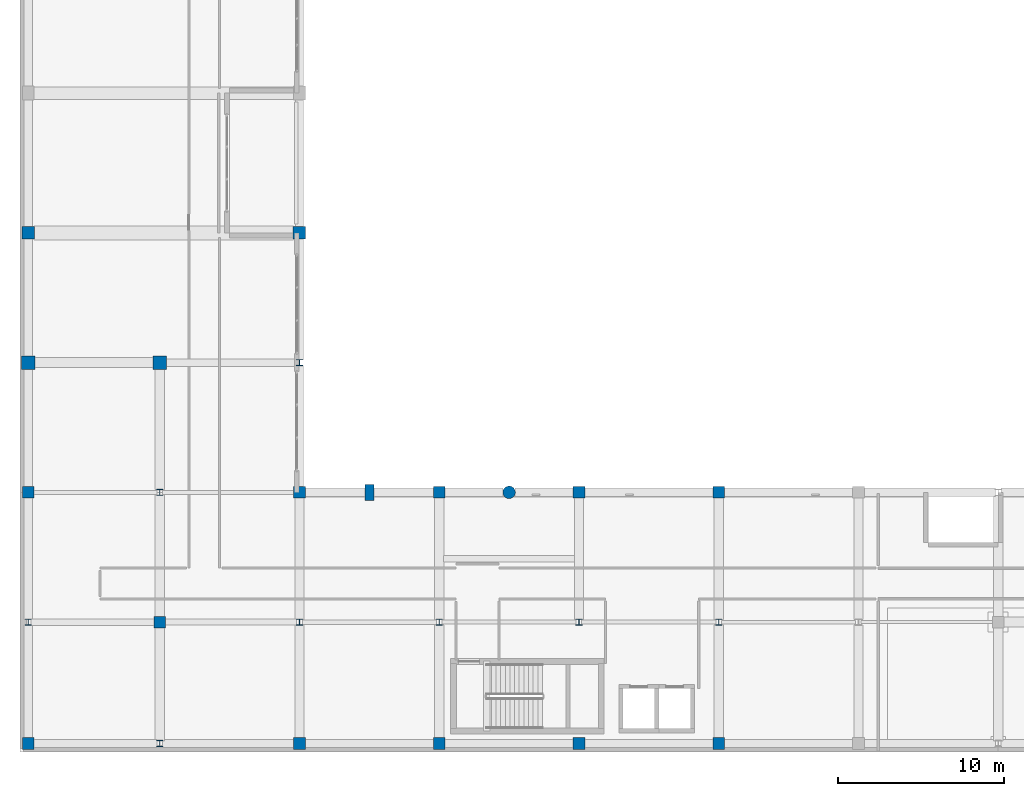
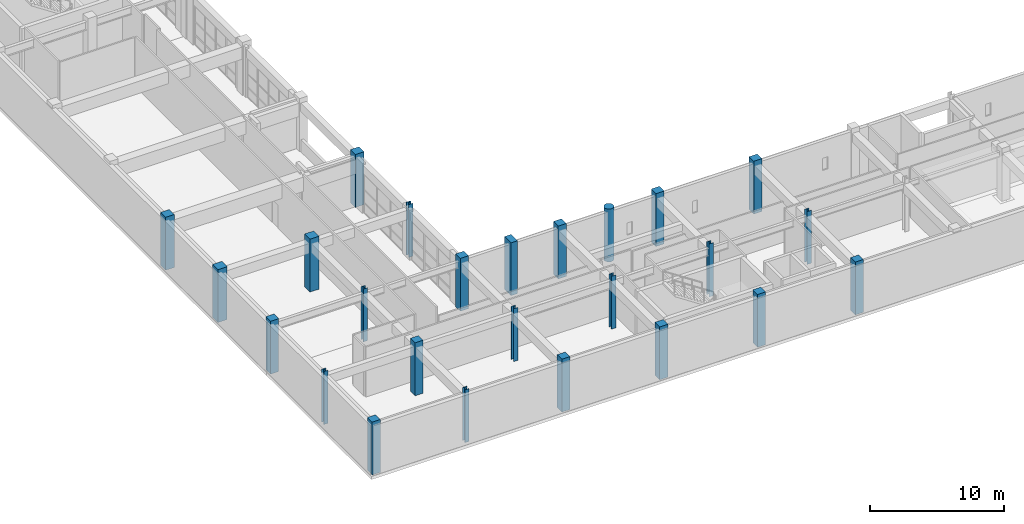
# One storey, part 1 of 123: 25 columns.
"""IFC4 building model written with IfcOpenShell, lengths in metres."""

import ifcopenshell
import ifcopenshell.guid

model = None  # the IFC model being written
_history = None  # IfcOwnerHistory: only IFC2X3 demands one
_inside = {}  # id of a spatial element -> (the spatial element, [elements in it])
_under = {}  # id of a project, library or spatial element -> (it, [spatial elements below it])
_declared = {}  # id of a project -> (the project, [libraries it declares])
_typed = {}  # id of a type object -> (the type object, [elements of that type])
_made_of = {}  # id of a material, layer set ... -> (it, [elements and type objects made of it])


def new_model(schema):
    """Start an empty IFC model of exactly this schema.

    Asked for "IFC4X3", IfcOpenShell would pick the latest addendum, in which some entities
    have other attributes; the version numbers below select the first issue.
    IFC2X3 requires an IfcOwnerHistory on every rooted entity: one is made here for all.
    """
    global model, _history
    if schema == "IFC4X3":
        model = ifcopenshell.file(schema_version=(4, 3, 0, 0))
    else:
        model = ifcopenshell.file(schema=schema)
    _inside.clear()
    _under.clear()
    _declared.clear()
    _typed.clear()
    _made_of.clear()
    _history = None
    if model.schema == "IFC2X3":
        org = make("IfcOrganization", Name="unknown")
        user = make(
            "IfcPersonAndOrganization",
            ThePerson=make("IfcPerson", FamilyName="unknown"),
            TheOrganization=org,
        )
        app = make(
            "IfcApplication",
            ApplicationDeveloper=org,
            Version="unknown",
            ApplicationFullName="unknown",
            ApplicationIdentifier="unknown",
        )
        _history = make(
            "IfcOwnerHistory",
            OwningUser=user,
            OwningApplication=app,
            ChangeAction="ADDED",
            CreationDate=0,
        )
    return model


def make(cls, **values):
    """One entity of the class cls with the attributes given. An attribute that is None is left unset."""
    return model.create_entity(
        cls, **{name: value for name, value in values.items() if value is not None}
    )


def rooted(cls, **values):
    """An entity with a GlobalId (a new one), such as an element, a storey or a relation."""
    return make(cls, GlobalId=ifcopenshell.guid.new(), OwnerHistory=_history, **values)


def si_unit(unit_type, name, prefix=None):
    """IfcSIUnit, for example si_unit("LENGTHUNIT", "METRE", prefix="MILLI")."""
    return make("IfcSIUnit", UnitType=unit_type, Prefix=prefix, Name=name)


def assignment(units):
    """IfcUnitAssignment: the units of a project."""
    return None if units is None else make("IfcUnitAssignment", Units=units)


def point(xyz):
    """IfcCartesianPoint."""
    return None if xyz is None else make("IfcCartesianPoint", Coordinates=xyz)


def direction(xyz):
    """IfcDirection."""
    return None if xyz is None else make("IfcDirection", DirectionRatios=xyz)


def frame(location, z_axis=None, x_axis=None):
    """IfcAxis2Placement3D, a coordinate frame: its origin and axes. An axis left out is left unset."""
    return make(
        "IfcAxis2Placement3D",
        Location=point(location),
        Axis=direction(z_axis),
        RefDirection=direction(x_axis),
    )


def frame_2d(location, x_axis=None):
    """IfcAxis2Placement2D, a coordinate frame in the plane: its origin and x axis."""
    return make(
        "IfcAxis2Placement2D", Location=point(location), RefDirection=direction(x_axis)
    )


def origin():
    """The frame at (0, 0, 0) with its axes left unset."""
    return frame((0.0, 0.0, 0.0))


def origin_2d():
    """The frame at (0, 0) in the plane with its x axis left unset."""
    return frame_2d((0.0, 0.0))


def place(relative_to, where):
    """IfcLocalPlacement: puts the frame where relative to a parent placement (None: the world)."""
    return make(
        "IfcLocalPlacement", PlacementRelTo=relative_to, RelativePlacement=where
    )


def context(
    kind, dimensions, precision=None, world=None, true_north=None, identifier=None
):
    """IfcGeometricRepresentationContext, for example the 3D "Model" context."""
    return make(
        "IfcGeometricRepresentationContext",
        ContextIdentifier=identifier,
        ContextType=kind,
        CoordinateSpaceDimension=dimensions,
        Precision=precision,
        WorldCoordinateSystem=world,
        TrueNorth=true_north,
    )


def subcontext(parent, identifier, kind, view, scale=None):
    """IfcGeometricRepresentationSubContext, for example "Body" below "Model"."""
    return make(
        "IfcGeometricRepresentationSubContext",
        ContextIdentifier=identifier,
        ContextType=kind,
        ParentContext=parent,
        TargetScale=scale,
        TargetView=view,
    )


def project(units=None, contexts=None):
    """IfcProject with its units and contexts."""
    return rooted(
        "IfcProject",
        Name="project",
        RepresentationContexts=contexts,
        UnitsInContext=assignment(units),
    )


def spatial(cls, under=None, at=None, **own):
    """A site, building, storey or space (cls), placed at a placement, below another one or the project."""
    s = rooted(cls, ObjectPlacement=at, **own)
    if under is not None:
        _under.setdefault(under.id(), (under, []))[1].append(s)
    return s


def profile(cls, at=None, kind="AREA", **sizes):
    """A parametric profile (cls). Its sizes go by their IFC names, for example OverallWidth=200.0."""
    return make(cls, ProfileType=kind, Position=at, **sizes)


def rectangle(**sizes):
    """IfcRectangleProfileDef."""
    return profile("IfcRectangleProfileDef", **sizes)


def circle(**sizes):
    """IfcCircleProfileDef."""
    return profile("IfcCircleProfileDef", **sizes)


def i_section(**sizes):
    """IfcIShapeProfileDef."""
    return profile("IfcIShapeProfileDef", **sizes)


def extrude(swept, where, along, depth):
    """IfcExtrudedAreaSolid: the profile swept, set in the frame where, extruded along a direction by depth."""
    return make(
        "IfcExtrudedAreaSolid",
        SweptArea=swept,
        Position=where,
        ExtrudedDirection=direction(along),
        Depth=depth,
    )


def shape(context_of_items, identifier, shape_type, items):
    """IfcShapeRepresentation: the items that make up one representation, for example the "Body"."""
    return make(
        "IfcShapeRepresentation",
        ContextOfItems=context_of_items,
        RepresentationIdentifier=identifier,
        RepresentationType=shape_type,
        Items=items,
    )


def material(Name=None, Category=None):
    """IfcMaterial."""
    return make("IfcMaterial", Name=Name, Category=Category)


def material_profile(
    of_material, cross_section, Name=None, Category=None, Priority=None
):
    """IfcMaterialProfile: a cross section and its material."""
    return make(
        "IfcMaterialProfile",
        Name=Name,
        Material=of_material,
        Profile=cross_section,
        Priority=Priority,
        Category=Category,
    )


def profile_set(profiles, Name=None, composite=None):
    """IfcMaterialProfileSet."""
    return make(
        "IfcMaterialProfileSet",
        Name=Name,
        MaterialProfiles=profiles,
        CompositeProfile=composite,
    )


def made_of(thing, what):
    """Note that an element or type object is made of a material, layer set ...; save() writes the relation."""
    if what is not None:
        _made_of.setdefault(what.id(), (what, []))[1].append(thing)
    return thing


def type_object(cls, material=None, **own):
    """A type object (cls), such as IfcWallType, which elements share."""
    return made_of(rooted(cls, **own), material)


def element(
    cls,
    number,
    at=None,
    inside=None,
    cuts=None,
    type_object=None,
    material=None,
    context=None,
    identifier="Body",
    shape_type=None,
    held_by="IfcProductDefinitionShape",
    body=None,
    shapes=None,
    **own,
):
    """One element of the class cls, such as IfcWall. Its Tag is "e" and its number.

    at: its placement. inside: the storey or other place that contains it. cuts: it is an
    opening in that element (IfcRelVoidsElement). A single representation is given by context,
    identifier, shape_type and body (its items); several are given by shapes. held_by: the class
    of the entity that holds the representations. save() writes the other relations.
    """
    e = rooted(cls, Tag="e%d" % number, ObjectPlacement=at, **own)
    if body is not None:
        shapes = [shape(context, identifier, shape_type, body)]
    if shapes is not None:
        e.Representation = make(held_by, Representations=shapes)
    if inside is not None:
        _inside.setdefault(inside.id(), (inside, []))[1].append(e)
    if cuts is not None:
        rooted(
            "IfcRelVoidsElement", RelatingBuildingElement=cuts, RelatedOpeningElement=e
        )
    if type_object is not None:
        _typed.setdefault(type_object.id(), (type_object, []))[1].append(e)
    return made_of(e, material)


def aggregate(whole, parts):
    """IfcRelAggregates: a whole, such as a stair, and the parts it consists of."""
    return rooted("IfcRelAggregates", RelatingObject=whole, RelatedObjects=parts)


def save(model, path):
    """Write the relations noted so far, then the file.

    IfcRelAggregates (storeys below a building ...), IfcRelContainedInSpatialStructure (elements
    in a storey), IfcRelDefinesByType, IfcRelAssociatesMaterial and IfcRelDeclares: one each for
    every whole, place, type object, material and project.
    """
    for whole, parts in _under.values():
        aggregate(whole, parts)
    for where, things in _inside.values():
        rooted(
            "IfcRelContainedInSpatialStructure",
            RelatedElements=things,
            RelatingStructure=where,
        )
    for kind, things in _typed.values():
        rooted("IfcRelDefinesByType", RelatedObjects=things, RelatingType=kind)
    for what, things in _made_of.values():
        rooted("IfcRelAssociatesMaterial", RelatedObjects=things, RelatingMaterial=what)
    for by, libraries in _declared.values():
        rooted("IfcRelDeclares", RelatingContext=by, RelatedDefinitions=libraries)
    model.write(path)


model = new_model("IFC4")

# Units and contexts
model_context = context("Model", 3, precision=1e-05, world=origin(), true_north=direction((0.0, 1.0)))
body_context = subcontext(model_context, "Body", "Model", "MODEL_VIEW")
ifc_project = project(units=[si_unit("LENGTHUNIT", "METRE"), si_unit("AREAUNIT", "SQUARE_METRE"), si_unit("VOLUMEUNIT", "CUBIC_METRE"), si_unit("PLANEANGLEUNIT", "RADIAN"), si_unit("MASSUNIT", "GRAM", prefix="KILO")], contexts=[model_context])

# Site, building, storey
site_placement = place(None, origin())
site = spatial("IfcSite", under=ifc_project, at=site_placement, CompositionType="ELEMENT")
building_placement = place(site_placement, origin())
building = spatial("IfcBuilding", under=site, at=building_placement, Name="Quendrovan Civic Courthouse", CompositionType="ELEMENT")
storey_placement = place(building_placement, frame((0.0, 0.0, 5.39990234375)))
storey = spatial("IfcBuildingStorey", under=building, at=storey_placement, Name="L02", CompositionType="ELEMENT", Elevation=5.39990234375)

# Columns
ifc_material_1 = material(Name="Precast concrete C45/55", Category="concrete")
ifc_material_profile_1 = material_profile(ifc_material_1, circle(Radius=0.375, at=origin_2d()), Name="RC-ARCADE-D750")
ifc_profile_set_1 = profile_set([ifc_material_profile_1], Name="Precast concrete C45/55")
column_type_1 = type_object("IfcColumnType", Name="COL-ARC750", PredefinedType="PILASTER", material=ifc_profile_set_1)
column_1_placement = place(storey_placement, frame((29.39990234375, 15.60009765625, 0.0), z_axis=(0.0, 0.0, 1.0), x_axis=(1.0, 0.0, 0.0)))
element("IfcColumn", 1, at=column_1_placement, inside=storey, type_object=column_type_1, Name="L02 Column PIL-C6", PredefinedType="PILASTER", context=body_context, shape_type="SweptSolid", body=[
    extrude(circle(Radius=0.375, at=origin_2d()), origin(), (0.0, 0.0, 1.0), 4.800048828125),
])
ifc_material_2 = material(Name="Concrete C45/55", Category="concrete")
ifc_material_profile_2 = material_profile(ifc_material_2, rectangle(XDim=0.550048828125, YDim=0.949951171875, at=origin_2d()), Name="RC-PIER-550x950")
ifc_profile_set_2 = profile_set([ifc_material_profile_2], Name="Concrete C45/55")
column_type_2 = type_object("IfcColumnType", Name="COL-PIER950", PredefinedType="PILASTER", material=ifc_profile_set_2)
column_2_placement = place(storey_placement, frame((21.0, 15.60009765625, 0.0), z_axis=(0.0, 0.0, 1.0), x_axis=(1.0, 0.0, 0.0)))
element("IfcColumn", 2, at=column_2_placement, inside=storey, type_object=column_type_2, Name="L02 Column PIL-C5", PredefinedType="PILASTER", context=body_context, shape_type="SweptSolid", body=[
    extrude(rectangle(XDim=0.550048828125, YDim=0.949951171875, at=origin_2d()), origin(), (0.0, 0.0, 1.0), 4.800048828125),
])
ifc_material_profile_3 = material_profile(ifc_material_2, rectangle(XDim=0.699951171875, YDim=0.699951171875, at=origin_2d()), Name="RC-COL-700x700")
ifc_profile_set_3 = profile_set([ifc_material_profile_3], Name="Concrete C45/55")
column_type_3 = type_object("IfcColumnType", Name="COL-RC700", PredefinedType="COLUMN", material=ifc_profile_set_3)
for number, where, z_axis, x_axis, name in (
    (3, (0.5, 0.5, 0.0), (0.0, 0.0, 1.0), (1.0, 0.0, 0.0), "L02 Column 1-A"),
    (4, (0.5, 15.60009765625, 0.0), (0.0, 0.0, 1.0), (1.0, 0.0, 0.0), "L02 Column 1-C"),
    (5, (8.39990234375, 7.800048828125, 0.0), (0.0, 0.0, 1.0), (1.0, 0.0, 0.0), "L02 Column 2-B"),
    (6, (16.800048828125, 0.5, 0.0), (0.0, 0.0, 1.0), (1.0, 0.0, 0.0), "L02 Column 3-A"),
    (7, (16.800048828125, 15.60009765625, 0.0), (0.0, 0.0, 1.0), (1.0, 0.0, 0.0), "L02 Column 3-C"),
    (8, (25.199951171875, 0.5, 0.0), (0.0, 0.0, 1.0), (1.0, 0.0, 0.0), "L02 Column 4-A"),
    (9, (25.199951171875, 15.60009765625, 0.0), (0.0, 0.0, 1.0), (1.0, 0.0, 0.0), "L02 Column 4-C"),
    (10, (33.60009765625, 0.5, 0.0), (0.0, 0.0, 1.0), (1.0, 0.0, 0.0), "L02 Column 5-A"),
    (11, (33.60009765625, 15.60009765625, 0.0), (0.0, 0.0, 1.0), (1.0, 0.0, 0.0), "L02 Column 5-C"),
    (12, (42.0, 0.5, 0.0), (0.0, 0.0, 1.0), (1.0, 0.0, 0.0), "L02 Column 6-A"),
    (13, (42.0, 15.60009765625, 0.0), (0.0, 0.0, 1.0), (1.0, 0.0, 0.0), "L02 Column 6-C"),
):
    element("IfcColumn", number, at=place(storey_placement, frame(where, z_axis=z_axis, x_axis=x_axis)), inside=storey, type_object=column_type_3, Name=name, PredefinedType="COLUMN", context=body_context, shape_type="SweptSolid", body=[
        extrude(rectangle(XDim=0.699951171875, YDim=0.699951171875, at=origin_2d()), origin(), (0.0, 0.0, 1.0), 4.800048828125),
    ])
ifc_material_profile_4 = material_profile(ifc_material_2, rectangle(XDim=0.75, YDim=0.75, at=origin_2d()), Name="RC-COL-750x750")
ifc_profile_set_4 = profile_set([ifc_material_profile_4], Name="Concrete C45/55")
column_type_4 = type_object("IfcColumnType", Name="COL-RC750", PredefinedType="COLUMN", material=ifc_profile_set_4)
for number, where, z_axis, x_axis, name in (
    (14, (0.5, 31.199951171875, 0.0), (0.0, 0.0, 1.0), (1.0, 0.0, 0.0), "L02 Column 1-E"),
    (15, (16.800048828125, 31.199951171875, 0.0), (0.0, 0.0, 1.0), (1.0, 0.0, 0.0), "L02 Column 3-E"),
):
    element("IfcColumn", number, at=place(storey_placement, frame(where, z_axis=z_axis, x_axis=x_axis)), inside=storey, type_object=column_type_4, Name=name, PredefinedType="COLUMN", context=body_context, shape_type="SweptSolid", body=[
        extrude(rectangle(XDim=0.75, YDim=0.75, at=origin_2d()), origin(), (0.0, 0.0, 1.0), 4.800048828125),
    ])
ifc_material_profile_5 = material_profile(ifc_material_2, rectangle(XDim=0.800048828125, YDim=0.800048828125, at=origin_2d()), Name="RC-COL-800x800")
ifc_profile_set_5 = profile_set([ifc_material_profile_5], Name="Concrete C45/55")
column_type_5 = type_object("IfcColumnType", Name="COL-RC800", PredefinedType="COLUMN", material=ifc_profile_set_5)
for number, where, z_axis, x_axis, name in (
    (16, (0.5, 23.39990234375, 0.0), (0.0, 0.0, 1.0), (1.0, 0.0, 0.0), "L02 Column 1-D"),
    (17, (8.39990234375, 23.39990234375, 0.0), (0.0, 0.0, 1.0), (1.0, 0.0, 0.0), "L02 Column 2-D"),
):
    element("IfcColumn", number, at=place(storey_placement, frame(where, z_axis=z_axis, x_axis=x_axis)), inside=storey, type_object=column_type_5, Name=name, PredefinedType="COLUMN", context=body_context, shape_type="SweptSolid", body=[
        extrude(rectangle(XDim=0.800048828125, YDim=0.800048828125, at=origin_2d()), origin(), (0.0, 0.0, 1.0), 4.800048828125),
    ])
ifc_material_3 = material(Name="Steel ASTM A992 Grade 50", Category="steel")
ifc_material_profile_6 = material_profile(ifc_material_3, i_section(OverallWidth=0.3740234375, OverallDepth=0.3720703125, WebThickness=0.016357421875, FlangeThickness=0.026123046875, at=origin_2d()), Name="W14X132")
ifc_profile_set_6 = profile_set([ifc_material_profile_6], Name="Steel ASTM A992 Grade 50")
column_type_6 = type_object("IfcColumnType", Name="COL-STL-W14X132", PredefinedType="COLUMN", material=ifc_profile_set_6)
for number, where, z_axis, x_axis, name in (
    (18, (0.5, 7.800048828125, 0.0), (0.0, 0.0, 1.0), (1.0, 0.0, 0.0), "L02 Column 1-B"),
    (19, (8.39990234375, 0.5, 0.0), (0.0, 0.0, 1.0), (1.0, 0.0, 0.0), "L02 Column 2-A"),
    (20, (8.39990234375, 15.60009765625, 0.0), (0.0, 0.0, 1.0), (1.0, 0.0, 0.0), "L02 Column 2-C"),
    (21, (16.800048828125, 7.800048828125, 0.0), (0.0, 0.0, 1.0), (1.0, 0.0, 0.0), "L02 Column 3-B"),
    (22, (16.800048828125, 23.39990234375, 0.0), (0.0, 0.0, 1.0), (1.0, 0.0, 0.0), "L02 Column 3-D"),
    (23, (25.199951171875, 7.800048828125, 0.0), (0.0, 0.0, 1.0), (1.0, 0.0, 0.0), "L02 Column 4-B"),
    (24, (33.60009765625, 7.800048828125, 0.0), (0.0, 0.0, 1.0), (1.0, 0.0, 0.0), "L02 Column 5-B"),
    (25, (42.0, 7.800048828125, 0.0), (0.0, 0.0, 1.0), (1.0, 0.0, 0.0), "L02 Column 6-B"),
):
    element("IfcColumn", number, at=place(storey_placement, frame(where, z_axis=z_axis, x_axis=x_axis)), inside=storey, type_object=column_type_6, Name=name, PredefinedType="COLUMN", context=body_context, shape_type="SweptSolid", body=[
        extrude(i_section(OverallWidth=0.3740234375, OverallDepth=0.3720703125, WebThickness=0.016357421875, FlangeThickness=0.026123046875, at=origin_2d()), origin(), (0.0, 0.0, 1.0), 4.800048828125),
    ])

save(model, "model.ifc")
